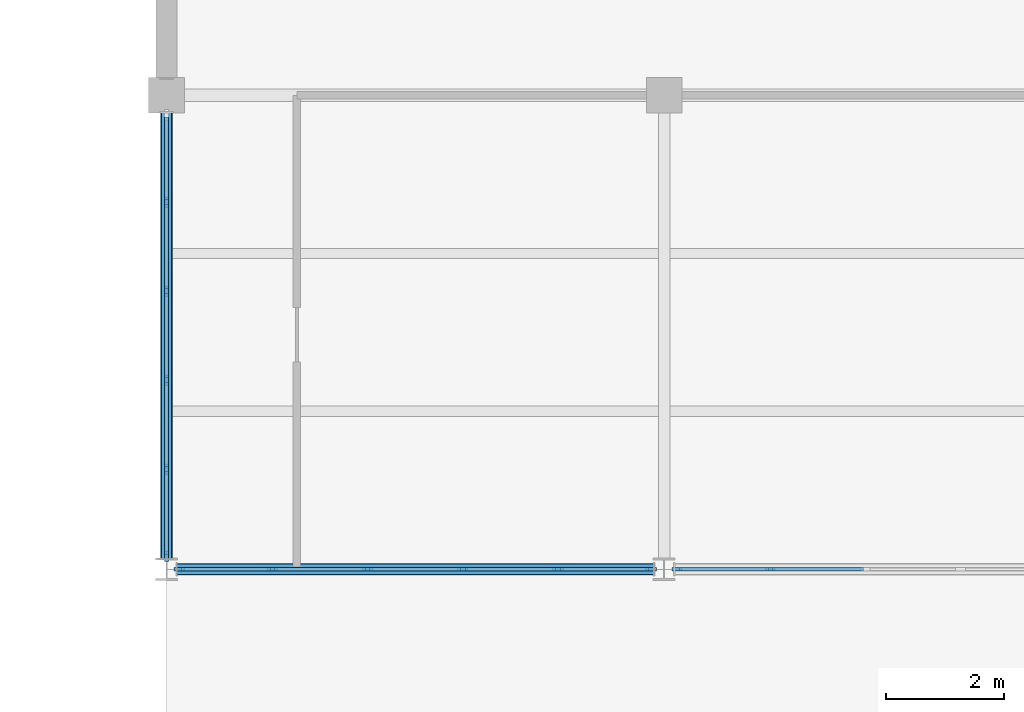
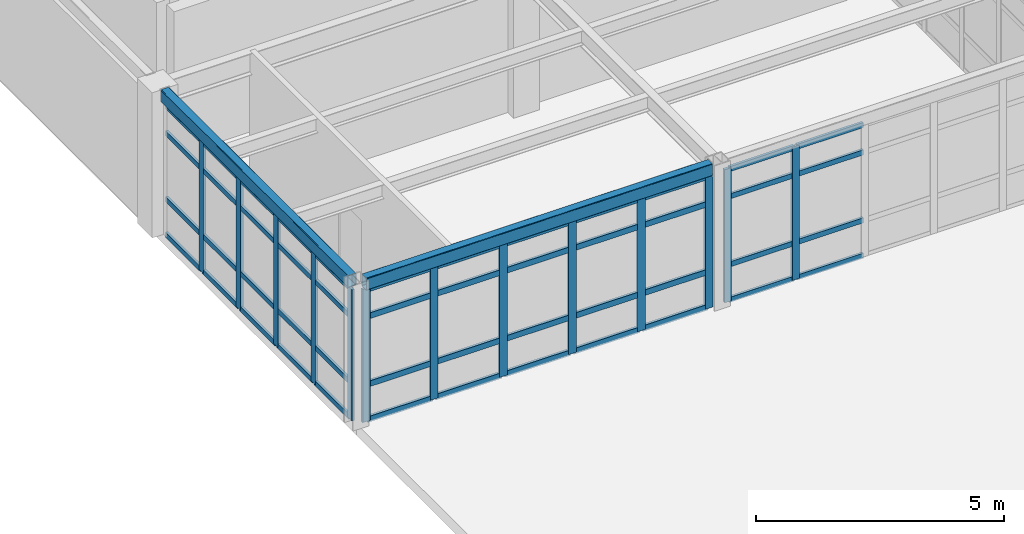
# One storey, part 20 of 96: 61 members, 2 beams, 3 elements without a shape of their own.
"""IFC4 building model written with IfcOpenShell, lengths in metres."""

import ifcopenshell
import ifcopenshell.guid

model = None  # the IFC model being written
_history = None  # IfcOwnerHistory: only IFC2X3 demands one
_inside = {}  # id of a spatial element -> (the spatial element, [elements in it])
_under = {}  # id of a project, library or spatial element -> (it, [spatial elements below it])
_declared = {}  # id of a project -> (the project, [libraries it declares])
_typed = {}  # id of a type object -> (the type object, [elements of that type])
_made_of = {}  # id of a material, layer set ... -> (it, [elements and type objects made of it])


def new_model(schema):
    """Start an empty IFC model of exactly this schema.

    Asked for "IFC4X3", IfcOpenShell would pick the latest addendum, in which some entities
    have other attributes; the version numbers below select the first issue.
    IFC2X3 requires an IfcOwnerHistory on every rooted entity: one is made here for all.
    """
    global model, _history
    if schema == "IFC4X3":
        model = ifcopenshell.file(schema_version=(4, 3, 0, 0))
    else:
        model = ifcopenshell.file(schema=schema)
    _inside.clear()
    _under.clear()
    _declared.clear()
    _typed.clear()
    _made_of.clear()
    _history = None
    if model.schema == "IFC2X3":
        org = make("IfcOrganization", Name="unknown")
        user = make(
            "IfcPersonAndOrganization",
            ThePerson=make("IfcPerson", FamilyName="unknown"),
            TheOrganization=org,
        )
        app = make(
            "IfcApplication",
            ApplicationDeveloper=org,
            Version="unknown",
            ApplicationFullName="unknown",
            ApplicationIdentifier="unknown",
        )
        _history = make(
            "IfcOwnerHistory",
            OwningUser=user,
            OwningApplication=app,
            ChangeAction="ADDED",
            CreationDate=0,
        )
    return model


def make(cls, **values):
    """One entity of the class cls with the attributes given. An attribute that is None is left unset."""
    return model.create_entity(
        cls, **{name: value for name, value in values.items() if value is not None}
    )


def rooted(cls, **values):
    """An entity with a GlobalId (a new one), such as an element, a storey or a relation."""
    return make(cls, GlobalId=ifcopenshell.guid.new(), OwnerHistory=_history, **values)


def si_unit(unit_type, name, prefix=None):
    """IfcSIUnit, for example si_unit("LENGTHUNIT", "METRE", prefix="MILLI")."""
    return make("IfcSIUnit", UnitType=unit_type, Prefix=prefix, Name=name)


def assignment(units):
    """IfcUnitAssignment: the units of a project."""
    return None if units is None else make("IfcUnitAssignment", Units=units)


def point(xyz):
    """IfcCartesianPoint."""
    return None if xyz is None else make("IfcCartesianPoint", Coordinates=xyz)


def direction(xyz):
    """IfcDirection."""
    return None if xyz is None else make("IfcDirection", DirectionRatios=xyz)


def frame(location, z_axis=None, x_axis=None):
    """IfcAxis2Placement3D, a coordinate frame: its origin and axes. An axis left out is left unset."""
    return make(
        "IfcAxis2Placement3D",
        Location=point(location),
        Axis=direction(z_axis),
        RefDirection=direction(x_axis),
    )


def frame_2d(location, x_axis=None):
    """IfcAxis2Placement2D, a coordinate frame in the plane: its origin and x axis."""
    return make(
        "IfcAxis2Placement2D", Location=point(location), RefDirection=direction(x_axis)
    )


def origin():
    """The frame at (0, 0, 0) with its axes left unset."""
    return frame((0.0, 0.0, 0.0))


def origin_2d():
    """The frame at (0, 0) in the plane with its x axis left unset."""
    return frame_2d((0.0, 0.0))


def place(relative_to, where):
    """IfcLocalPlacement: puts the frame where relative to a parent placement (None: the world)."""
    return make(
        "IfcLocalPlacement", PlacementRelTo=relative_to, RelativePlacement=where
    )


def context(
    kind, dimensions, precision=None, world=None, true_north=None, identifier=None
):
    """IfcGeometricRepresentationContext, for example the 3D "Model" context."""
    return make(
        "IfcGeometricRepresentationContext",
        ContextIdentifier=identifier,
        ContextType=kind,
        CoordinateSpaceDimension=dimensions,
        Precision=precision,
        WorldCoordinateSystem=world,
        TrueNorth=true_north,
    )


def subcontext(parent, identifier, kind, view, scale=None):
    """IfcGeometricRepresentationSubContext, for example "Body" below "Model"."""
    return make(
        "IfcGeometricRepresentationSubContext",
        ContextIdentifier=identifier,
        ContextType=kind,
        ParentContext=parent,
        TargetScale=scale,
        TargetView=view,
    )


def project(units=None, contexts=None):
    """IfcProject with its units and contexts."""
    return rooted(
        "IfcProject",
        Name="project",
        RepresentationContexts=contexts,
        UnitsInContext=assignment(units),
    )


def spatial(cls, under=None, at=None, **own):
    """A site, building, storey or space (cls), placed at a placement, below another one or the project."""
    s = rooted(cls, ObjectPlacement=at, **own)
    if under is not None:
        _under.setdefault(under.id(), (under, []))[1].append(s)
    return s


def profile(cls, at=None, kind="AREA", **sizes):
    """A parametric profile (cls). Its sizes go by their IFC names, for example OverallWidth=200.0."""
    return make(cls, ProfileType=kind, Position=at, **sizes)


def rectangle(**sizes):
    """IfcRectangleProfileDef."""
    return profile("IfcRectangleProfileDef", **sizes)


def hollow_rectangle(**sizes):
    """IfcRectangleHollowProfileDef."""
    return profile("IfcRectangleHollowProfileDef", **sizes)


def extrude(swept, where, along, depth):
    """IfcExtrudedAreaSolid: the profile swept, set in the frame where, extruded along a direction by depth."""
    return make(
        "IfcExtrudedAreaSolid",
        SweptArea=swept,
        Position=where,
        ExtrudedDirection=direction(along),
        Depth=depth,
    )


def shape(context_of_items, identifier, shape_type, items):
    """IfcShapeRepresentation: the items that make up one representation, for example the "Body"."""
    return make(
        "IfcShapeRepresentation",
        ContextOfItems=context_of_items,
        RepresentationIdentifier=identifier,
        RepresentationType=shape_type,
        Items=items,
    )


def material(Name=None, Category=None):
    """IfcMaterial."""
    return make("IfcMaterial", Name=Name, Category=Category)


def layer(
    of_material, thickness, ventilated=None, Name=None, Category=None, Priority=None
):
    """IfcMaterialLayer: one layer of a wall or slab, of a material (None: an air gap)."""
    return make(
        "IfcMaterialLayer",
        Material=of_material,
        LayerThickness=thickness,
        IsVentilated=ventilated,
        Name=Name,
        Category=Category,
        Priority=Priority,
    )


def layer_set(layers, Name=None):
    """IfcMaterialLayerSet."""
    return make("IfcMaterialLayerSet", MaterialLayers=layers, LayerSetName=Name)


def material_profile(
    of_material, cross_section, Name=None, Category=None, Priority=None
):
    """IfcMaterialProfile: a cross section and its material."""
    return make(
        "IfcMaterialProfile",
        Name=Name,
        Material=of_material,
        Profile=cross_section,
        Priority=Priority,
        Category=Category,
    )


def profile_set(profiles, Name=None, composite=None):
    """IfcMaterialProfileSet."""
    return make(
        "IfcMaterialProfileSet",
        Name=Name,
        MaterialProfiles=profiles,
        CompositeProfile=composite,
    )


def made_of(thing, what):
    """Note that an element or type object is made of a material, layer set ...; save() writes the relation."""
    if what is not None:
        _made_of.setdefault(what.id(), (what, []))[1].append(thing)
    return thing


def type_object(cls, material=None, **own):
    """A type object (cls), such as IfcWallType, which elements share."""
    return made_of(rooted(cls, **own), material)


def element(
    cls,
    number,
    at=None,
    inside=None,
    cuts=None,
    type_object=None,
    material=None,
    context=None,
    identifier="Body",
    shape_type=None,
    held_by="IfcProductDefinitionShape",
    body=None,
    shapes=None,
    **own,
):
    """One element of the class cls, such as IfcWall. Its Tag is "e" and its number.

    at: its placement. inside: the storey or other place that contains it. cuts: it is an
    opening in that element (IfcRelVoidsElement). A single representation is given by context,
    identifier, shape_type and body (its items); several are given by shapes. held_by: the class
    of the entity that holds the representations. save() writes the other relations.
    """
    e = rooted(cls, Tag="e%d" % number, ObjectPlacement=at, **own)
    if body is not None:
        shapes = [shape(context, identifier, shape_type, body)]
    if shapes is not None:
        e.Representation = make(held_by, Representations=shapes)
    if inside is not None:
        _inside.setdefault(inside.id(), (inside, []))[1].append(e)
    if cuts is not None:
        rooted(
            "IfcRelVoidsElement", RelatingBuildingElement=cuts, RelatedOpeningElement=e
        )
    if type_object is not None:
        _typed.setdefault(type_object.id(), (type_object, []))[1].append(e)
    return made_of(e, material)


def aggregate(whole, parts):
    """IfcRelAggregates: a whole, such as a stair, and the parts it consists of."""
    return rooted("IfcRelAggregates", RelatingObject=whole, RelatedObjects=parts)


def save(model, path):
    """Write the relations noted so far, then the file.

    IfcRelAggregates (storeys below a building ...), IfcRelContainedInSpatialStructure (elements
    in a storey), IfcRelDefinesByType, IfcRelAssociatesMaterial and IfcRelDeclares: one each for
    every whole, place, type object, material and project.
    """
    for whole, parts in _under.values():
        aggregate(whole, parts)
    for where, things in _inside.values():
        rooted(
            "IfcRelContainedInSpatialStructure",
            RelatedElements=things,
            RelatingStructure=where,
        )
    for kind, things in _typed.values():
        rooted("IfcRelDefinesByType", RelatedObjects=things, RelatingType=kind)
    for what, things in _made_of.values():
        rooted("IfcRelAssociatesMaterial", RelatedObjects=things, RelatingMaterial=what)
    for by, libraries in _declared.values():
        rooted("IfcRelDeclares", RelatingContext=by, RelatedDefinitions=libraries)
    model.write(path)


model = new_model("IFC4")

# Units and contexts
model_context = context("Model", 3, precision=1e-05, world=origin(), true_north=direction((0.0, 1.0)))
body_context = subcontext(model_context, "Body", "Model", "MODEL_VIEW")
ifc_project = project(units=[si_unit("LENGTHUNIT", "METRE"), si_unit("AREAUNIT", "SQUARE_METRE"), si_unit("VOLUMEUNIT", "CUBIC_METRE"), si_unit("PLANEANGLEUNIT", "RADIAN"), si_unit("MASSUNIT", "GRAM", prefix="KILO")], contexts=[model_context])

# Site, building, storey
site_placement = place(None, origin())
site = spatial("IfcSite", under=ifc_project, at=site_placement, CompositionType="ELEMENT")
building_placement = place(site_placement, origin())
building = spatial("IfcBuilding", under=site, at=building_placement, Name="Kranzveld Transit Interchange", CompositionType="ELEMENT")
storey_placement = place(building_placement, frame((0.0, 0.0, 9.52001953125)))
storey = spatial("IfcBuildingStorey", under=building, at=storey_placement, Name="L02", CompositionType="ELEMENT", Elevation=9.52001953125)

# Curtain wall, members
ifc_material_1 = material(Name="Bronze-anodised thermally broken aluminium", Category="aluminium")
ifc_layer_1 = layer(ifc_material_1, 0.155029296875)
ifc_layer_set_1 = layer_set([ifc_layer_1], Name="Bronze-anodised thermally broken aluminium")
curtain_wall_type_1 = type_object("IfcCurtainWallType", Name="Operations Courtyard Glazed Screen CW-6", PredefinedType="USERDEFINED", material=ifc_layer_set_1)
curtain_wall_1_placement = place(storey_placement, origin())
curtain_wall_1 = element("IfcCurtainWall", 1, at=curtain_wall_1_placement, inside=storey, type_object=curtain_wall_type_1, Name="L02 Curtain Wall 14/J-15/J", ObjectType="CURTAIN WALL", PredefinedType="USERDEFINED")
ifc_material_2 = material(Name="Bronze-anodised thermally broken aluminium", Category="aluminium")
ifc_material_profile_1 = material_profile(ifc_material_2, rectangle(XDim=0.06494140625, YDim=0.1650390625, at=origin_2d()), Name="ALU MULLION 65x165")
ifc_profile_set_1 = profile_set([ifc_material_profile_1], Name="Bronze-anodised thermally broken aluminium")
member_type_1 = type_object("IfcMemberType", Name="Curtain Wall Mullion 65x165 Alu", PredefinedType="MULLION", material=ifc_profile_set_1)
member_1_placement = place(storey_placement, frame((109.419921875, 64.0, 0.0), z_axis=(0.0, 0.0, 1.0), x_axis=(0.0, 1.0, 0.0)))
member_1 = element("IfcMember", 2, at=member_1_placement, type_object=member_type_1, Name="CW-6 mullion 1", PredefinedType="MULLION", context=body_context, shape_type="SweptSolid", body=[
    extrude(rectangle(XDim=0.06494140625, YDim=0.1650390625, at=origin_2d()), origin(), (0.0, 0.0, 1.0), 3.27001953125),
])
member_2_placement = place(storey_placement, frame((110.992431640625, 64.0, 0.0), z_axis=(0.0, 0.0, 1.0), x_axis=(0.0, 1.0, 0.0)))
member_2 = element("IfcMember", 3, at=member_2_placement, type_object=member_type_1, Name="CW-6 mullion 2", PredefinedType="MULLION", context=body_context, shape_type="SweptSolid", body=[
    extrude(rectangle(XDim=0.06494140625, YDim=0.1650390625, at=origin_2d()), origin(), (0.0, 0.0, 1.0), 3.27001953125),
])

ifc_material_3 = material(Name="Bronze-anodised thermally broken aluminium", Category="aluminium")
ifc_layer_2 = layer(ifc_material_3, 0.18505859375)
ifc_layer_set_2 = layer_set([ifc_layer_2], Name="Bronze-anodised thermally broken aluminium")
curtain_wall_type_2 = type_object("IfcCurtainWallType", Name="Control Crown Observation Facade CW-5", PredefinedType="USERDEFINED", material=ifc_layer_set_2)
curtain_wall_2_placement = place(storey_placement, origin())
curtain_wall_2 = element("IfcCurtainWall", 4, at=curtain_wall_2_placement, inside=storey, type_object=curtain_wall_type_2, Name="L02 Curtain Wall 13/J-14/J", ObjectType="CURTAIN WALL", PredefinedType="USERDEFINED")
ifc_material_4 = material(Name="Bronze-anodised thermally broken aluminium", Category="aluminium")
ifc_material_profile_2 = material_profile(ifc_material_4, rectangle(XDim=0.06494140625, YDim=0.179931640625, at=origin_2d()), Name="ALU MULLION 65x180")
ifc_profile_set_2 = profile_set([ifc_material_profile_2], Name="Bronze-anodised thermally broken aluminium")
member_type_2 = type_object("IfcMemberType", Name="Curtain Wall Mullion 65x180 Alu", PredefinedType="MULLION", material=ifc_profile_set_2)
member_3_placement = place(storey_placement, frame((101.019775390625, 64.0, 0.0), z_axis=(0.0, 0.0, 1.0), x_axis=(0.0, 1.0, 0.0)))
member_3 = element("IfcMember", 5, at=member_3_placement, type_object=member_type_2, Name="CW-5 mullion 1", PredefinedType="MULLION", context=body_context, shape_type="SweptSolid", body=[
    extrude(rectangle(XDim=0.06494140625, YDim=0.179931640625, at=origin_2d()), origin(), (0.0, 0.0, 1.0), 3.27001953125),
])
member_4_placement = place(storey_placement, frame((102.59228515625, 64.0, 0.0), z_axis=(0.0, 0.0, 1.0), x_axis=(0.0, 1.0, 0.0)))
member_4 = element("IfcMember", 6, at=member_4_placement, type_object=member_type_2, Name="CW-5 mullion 2", PredefinedType="MULLION", context=body_context, shape_type="SweptSolid", body=[
    extrude(rectangle(XDim=0.06494140625, YDim=0.179931640625, at=origin_2d()), origin(), (0.0, 0.0, 1.0), 3.27001953125),
])
member_5_placement = place(storey_placement, frame((104.197509765625, 64.0, 0.0), z_axis=(0.0, 0.0, 1.0), x_axis=(0.0, 1.0, 0.0)))
member_5 = element("IfcMember", 7, at=member_5_placement, type_object=member_type_2, Name="CW-5 mullion 3", PredefinedType="MULLION", context=body_context, shape_type="SweptSolid", body=[
    extrude(rectangle(XDim=0.06494140625, YDim=0.179931640625, at=origin_2d()), origin(), (0.0, 0.0, 1.0), 3.27001953125),
])
member_6_placement = place(storey_placement, frame((105.802490234375, 64.0, 0.0), z_axis=(0.0, 0.0, 1.0), x_axis=(0.0, 1.0, 0.0)))
member_6 = element("IfcMember", 8, at=member_6_placement, type_object=member_type_2, Name="CW-5 mullion 4", PredefinedType="MULLION", context=body_context, shape_type="SweptSolid", body=[
    extrude(rectangle(XDim=0.06494140625, YDim=0.179931640625, at=origin_2d()), origin(), (0.0, 0.0, 1.0), 3.27001953125),
])
member_7_placement = place(storey_placement, frame((107.40771484375, 64.0, 0.0), z_axis=(0.0, 0.0, 1.0), x_axis=(0.0, 1.0, 0.0)))
member_7 = element("IfcMember", 9, at=member_7_placement, type_object=member_type_2, Name="CW-5 mullion 5", PredefinedType="MULLION", context=body_context, shape_type="SweptSolid", body=[
    extrude(rectangle(XDim=0.06494140625, YDim=0.179931640625, at=origin_2d()), origin(), (0.0, 0.0, 1.0), 3.27001953125),
])
member_8_placement = place(storey_placement, frame((108.980224609375, 64.0, 0.0), z_axis=(0.0, 0.0, 1.0), x_axis=(0.0, 1.0, 0.0)))
member_8 = element("IfcMember", 10, at=member_8_placement, type_object=member_type_2, Name="CW-5 mullion 6", PredefinedType="MULLION", context=body_context, shape_type="SweptSolid", body=[
    extrude(rectangle(XDim=0.06494140625, YDim=0.179931640625, at=origin_2d()), origin(), (0.0, 0.0, 1.0), 3.27001953125),
])

ifc_material_5 = material(Name="Bronze-anodised thermally broken aluminium", Category="aluminium")
ifc_layer_3 = layer(ifc_material_5, 0.1650390625)
ifc_layer_set_3 = layer_set([ifc_layer_3], Name="Bronze-anodised thermally broken aluminium")
curtain_wall_type_3 = type_object("IfcCurtainWallType", Name="Sunny Court Arcade Curtain Wall CW-2", PredefinedType="USERDEFINED", material=ifc_layer_set_3)
curtain_wall_3_placement = place(storey_placement, origin())
curtain_wall_3 = element("IfcCurtainWall", 11, at=curtain_wall_3_placement, inside=storey, type_object=curtain_wall_type_3, Name="L02 Curtain Wall 13/J-13/K", ObjectType="CURTAIN WALL", PredefinedType="USERDEFINED")
member_9_placement = place(storey_placement, frame((100.800048828125, 64.2197265625, 0.0), z_axis=(0.0, 0.0, 1.0), x_axis=(-1.0, 0.0, 0.0)))
member_9 = element("IfcMember", 12, at=member_9_placement, type_object=member_type_2, Name="CW-2 mullion 1", PredefinedType="MULLION", context=body_context, shape_type="SweptSolid", body=[
    extrude(rectangle(XDim=0.06494140625, YDim=0.179931640625, at=origin_2d()), origin(), (0.0, 0.0, 1.0), 3.218505859375),
])
member_10_placement = place(storey_placement, frame((100.800048828125, 65.68994140625, 0.0), z_axis=(0.0, 0.0, 1.0), x_axis=(-1.0, 0.0, 0.0)))
member_10 = element("IfcMember", 13, at=member_10_placement, type_object=member_type_2, Name="CW-2 mullion 2", PredefinedType="MULLION", context=body_context, shape_type="SweptSolid", body=[
    extrude(rectangle(XDim=0.06494140625, YDim=0.179931640625, at=origin_2d()), origin(), (0.0, 0.0, 1.0), 3.218505859375),
])
member_11_placement = place(storey_placement, frame((100.800048828125, 67.1923828125, 0.0), z_axis=(0.0, 0.0, 1.0), x_axis=(-1.0, 0.0, 0.0)))
member_11 = element("IfcMember", 14, at=member_11_placement, type_object=member_type_2, Name="CW-2 mullion 3", PredefinedType="MULLION", context=body_context, shape_type="SweptSolid", body=[
    extrude(rectangle(XDim=0.06494140625, YDim=0.179931640625, at=origin_2d()), origin(), (0.0, 0.0, 1.0), 3.218505859375),
])
member_12_placement = place(storey_placement, frame((100.800048828125, 68.69482421875, 0.0), z_axis=(0.0, 0.0, 1.0), x_axis=(-1.0, 0.0, 0.0)))
member_12 = element("IfcMember", 15, at=member_12_placement, type_object=member_type_2, Name="CW-2 mullion 4", PredefinedType="MULLION", context=body_context, shape_type="SweptSolid", body=[
    extrude(rectangle(XDim=0.06494140625, YDim=0.179931640625, at=origin_2d()), origin(), (0.0, 0.0, 1.0), 3.218505859375),
])
member_13_placement = place(storey_placement, frame((100.800048828125, 70.197509765625, 0.0), z_axis=(0.0, 0.0, 1.0), x_axis=(-1.0, 0.0, 0.0)))
member_13 = element("IfcMember", 16, at=member_13_placement, type_object=member_type_2, Name="CW-2 mullion 5", PredefinedType="MULLION", context=body_context, shape_type="SweptSolid", body=[
    extrude(rectangle(XDim=0.06494140625, YDim=0.179931640625, at=origin_2d()), origin(), (0.0, 0.0, 1.0), 3.218505859375),
])

# Member
ifc_material_6 = material(Name="Bronze-anodised thermally broken aluminium", Category="aluminium")
ifc_material_profile_3 = material_profile(ifc_material_6, rectangle(XDim=0.06005859375, YDim=0.125, at=origin_2d()), Name="ALU TRANSOM 60x125")
ifc_profile_set_3 = profile_set([ifc_material_profile_3], Name="Bronze-anodised thermally broken aluminium")
member_type_3 = type_object("IfcMemberType", Name="Curtain Wall Transom 60x125 Alu", PredefinedType="USERDEFINED", material=ifc_profile_set_3)
member_14_placement = place(storey_placement, frame((109.452392578125, 64.0, 0.030029296875), z_axis=(1.0, 0.0, 0.0), x_axis=(0.0, 1.0, 0.0)))
member_14 = element("IfcMember", 17, at=member_14_placement, type_object=member_type_3, Name="CW-6 transom 1.1", ObjectType="TRANSOM", PredefinedType="USERDEFINED", context=body_context, shape_type="SweptSolid", body=[
    extrude(rectangle(XDim=0.06005859375, YDim=0.125, at=origin_2d()), origin(), (0.0, 0.0, 1.0), 1.507568359375),
])

member_15_placement = place(storey_placement, frame((109.452392578125, 64.0, 0.89990234375), z_axis=(1.0, 0.0, 0.0), x_axis=(0.0, 1.0, 0.0)))
member_15 = element("IfcMember", 18, at=member_15_placement, type_object=member_type_3, Name="CW-6 transom 1.2", ObjectType="TRANSOM", PredefinedType="USERDEFINED", context=body_context, shape_type="SweptSolid", body=[
    extrude(rectangle(XDim=0.06005859375, YDim=0.125, at=origin_2d()), origin(), (0.0, 0.0, 1.0), 1.507568359375),
])

member_16_placement = place(storey_placement, frame((109.452392578125, 64.0, 2.570068359375), z_axis=(1.0, 0.0, 0.0), x_axis=(0.0, 1.0, 0.0)))
member_16 = element("IfcMember", 19, at=member_16_placement, type_object=member_type_3, Name="CW-6 transom 1.3", ObjectType="TRANSOM", PredefinedType="USERDEFINED", context=body_context, shape_type="SweptSolid", body=[
    extrude(rectangle(XDim=0.06005859375, YDim=0.125, at=origin_2d()), origin(), (0.0, 0.0, 1.0), 1.507568359375),
])

member_17_placement = place(storey_placement, frame((109.452392578125, 64.0, 3.239990234375), z_axis=(1.0, 0.0, 0.0), x_axis=(0.0, 1.0, 0.0)))
member_17 = element("IfcMember", 20, at=member_17_placement, type_object=member_type_3, Name="CW-6 transom 1.4", ObjectType="TRANSOM", PredefinedType="USERDEFINED", context=body_context, shape_type="SweptSolid", body=[
    extrude(rectangle(XDim=0.06005859375, YDim=0.125, at=origin_2d()), origin(), (0.0, 0.0, 1.0), 1.507568359375),
])

member_18_placement = place(storey_placement, frame((111.02490234375, 64.0, 0.030029296875), z_axis=(1.0, 0.0, 0.0), x_axis=(0.0, 1.0, 0.0)))
member_18 = element("IfcMember", 21, at=member_18_placement, type_object=member_type_3, Name="CW-6 transom 2.1", ObjectType="TRANSOM", PredefinedType="USERDEFINED", context=body_context, shape_type="SweptSolid", body=[
    extrude(rectangle(XDim=0.06005859375, YDim=0.125, at=origin_2d()), origin(), (0.0, 0.0, 1.0), 1.5400390625),
])

member_19_placement = place(storey_placement, frame((111.02490234375, 64.0, 0.89990234375), z_axis=(1.0, 0.0, 0.0), x_axis=(0.0, 1.0, 0.0)))
member_19 = element("IfcMember", 22, at=member_19_placement, type_object=member_type_3, Name="CW-6 transom 2.2", ObjectType="TRANSOM", PredefinedType="USERDEFINED", context=body_context, shape_type="SweptSolid", body=[
    extrude(rectangle(XDim=0.06005859375, YDim=0.125, at=origin_2d()), origin(), (0.0, 0.0, 1.0), 1.5400390625),
])

member_20_placement = place(storey_placement, frame((111.02490234375, 64.0, 2.570068359375), z_axis=(1.0, 0.0, 0.0), x_axis=(0.0, 1.0, 0.0)))
member_20 = element("IfcMember", 23, at=member_20_placement, type_object=member_type_3, Name="CW-6 transom 2.3", ObjectType="TRANSOM", PredefinedType="USERDEFINED", context=body_context, shape_type="SweptSolid", body=[
    extrude(rectangle(XDim=0.06005859375, YDim=0.125, at=origin_2d()), origin(), (0.0, 0.0, 1.0), 1.5400390625),
])

member_21_placement = place(storey_placement, frame((111.02490234375, 64.0, 3.239990234375), z_axis=(1.0, 0.0, 0.0), x_axis=(0.0, 1.0, 0.0)))
member_21 = element("IfcMember", 24, at=member_21_placement, type_object=member_type_3, Name="CW-6 transom 2.4", ObjectType="TRANSOM", PredefinedType="USERDEFINED", context=body_context, shape_type="SweptSolid", body=[
    extrude(rectangle(XDim=0.06005859375, YDim=0.125, at=origin_2d()), origin(), (0.0, 0.0, 1.0), 1.5400390625),
])

aggregate(curtain_wall_1, [member_1, member_2, member_14, member_15, member_16, member_17, member_18, member_19, member_20, member_21])

member_22_placement = place(storey_placement, frame((100.800048828125, 64.252197265625, 0.030029296875), z_axis=(0.0, 1.0, 0.0), x_axis=(-1.0, 0.0, 0.0)))
member_22 = element("IfcMember", 25, at=member_22_placement, type_object=member_type_3, Name="CW-2 transom 1.1", ObjectType="TRANSOM", PredefinedType="USERDEFINED", context=body_context, shape_type="SweptSolid", body=[
    extrude(rectangle(XDim=0.06005859375, YDim=0.125, at=origin_2d()), origin(), (0.0, 0.0, 1.0), 1.405029296875),
])

member_23_placement = place(storey_placement, frame((100.800048828125, 64.252197265625, 0.89990234375), z_axis=(0.0, 1.0, 0.0), x_axis=(-1.0, 0.0, 0.0)))
member_23 = element("IfcMember", 26, at=member_23_placement, type_object=member_type_3, Name="CW-2 transom 1.2", ObjectType="TRANSOM", PredefinedType="USERDEFINED", context=body_context, shape_type="SweptSolid", body=[
    extrude(rectangle(XDim=0.06005859375, YDim=0.125, at=origin_2d()), origin(), (0.0, 0.0, 1.0), 1.405029296875),
])

member_24_placement = place(storey_placement, frame((100.800048828125, 64.252197265625, 2.5185546875), z_axis=(0.0, 1.0, 0.0), x_axis=(-1.0, 0.0, 0.0)))
member_24 = element("IfcMember", 27, at=member_24_placement, type_object=member_type_3, Name="CW-2 transom 1.3", ObjectType="TRANSOM", PredefinedType="USERDEFINED", context=body_context, shape_type="SweptSolid", body=[
    extrude(rectangle(XDim=0.06005859375, YDim=0.125, at=origin_2d()), origin(), (0.0, 0.0, 1.0), 1.405029296875),
])

member_25_placement = place(storey_placement, frame((100.800048828125, 64.252197265625, 3.1884765625), z_axis=(0.0, 1.0, 0.0), x_axis=(-1.0, 0.0, 0.0)))
member_25 = element("IfcMember", 28, at=member_25_placement, type_object=member_type_3, Name="CW-2 transom 1.4", ObjectType="TRANSOM", PredefinedType="USERDEFINED", context=body_context, shape_type="SweptSolid", body=[
    extrude(rectangle(XDim=0.06005859375, YDim=0.125, at=origin_2d()), origin(), (0.0, 0.0, 1.0), 1.405029296875),
])

member_26_placement = place(storey_placement, frame((100.800048828125, 65.722412109375, 0.030029296875), z_axis=(0.0, 1.0, 0.0), x_axis=(-1.0, 0.0, 0.0)))
member_26 = element("IfcMember", 29, at=member_26_placement, type_object=member_type_3, Name="CW-2 transom 2.1", ObjectType="TRANSOM", PredefinedType="USERDEFINED", context=body_context, shape_type="SweptSolid", body=[
    extrude(rectangle(XDim=0.06005859375, YDim=0.125, at=origin_2d()), origin(), (0.0, 0.0, 1.0), 1.4375),
])

member_27_placement = place(storey_placement, frame((100.800048828125, 65.722412109375, 0.89990234375), z_axis=(0.0, 1.0, 0.0), x_axis=(-1.0, 0.0, 0.0)))
member_27 = element("IfcMember", 30, at=member_27_placement, type_object=member_type_3, Name="CW-2 transom 2.2", ObjectType="TRANSOM", PredefinedType="USERDEFINED", context=body_context, shape_type="SweptSolid", body=[
    extrude(rectangle(XDim=0.06005859375, YDim=0.125, at=origin_2d()), origin(), (0.0, 0.0, 1.0), 1.4375),
])

member_28_placement = place(storey_placement, frame((100.800048828125, 65.722412109375, 2.5185546875), z_axis=(0.0, 1.0, 0.0), x_axis=(-1.0, 0.0, 0.0)))
member_28 = element("IfcMember", 31, at=member_28_placement, type_object=member_type_3, Name="CW-2 transom 2.3", ObjectType="TRANSOM", PredefinedType="USERDEFINED", context=body_context, shape_type="SweptSolid", body=[
    extrude(rectangle(XDim=0.06005859375, YDim=0.125, at=origin_2d()), origin(), (0.0, 0.0, 1.0), 1.4375),
])

member_29_placement = place(storey_placement, frame((100.800048828125, 65.722412109375, 3.1884765625), z_axis=(0.0, 1.0, 0.0), x_axis=(-1.0, 0.0, 0.0)))
member_29 = element("IfcMember", 32, at=member_29_placement, type_object=member_type_3, Name="CW-2 transom 2.4", ObjectType="TRANSOM", PredefinedType="USERDEFINED", context=body_context, shape_type="SweptSolid", body=[
    extrude(rectangle(XDim=0.06005859375, YDim=0.125, at=origin_2d()), origin(), (0.0, 0.0, 1.0), 1.4375),
])

member_30_placement = place(storey_placement, frame((100.800048828125, 67.224853515625, 0.030029296875), z_axis=(0.0, 1.0, 0.0), x_axis=(-1.0, 0.0, 0.0)))
member_30 = element("IfcMember", 33, at=member_30_placement, type_object=member_type_3, Name="CW-2 transom 3.1", ObjectType="TRANSOM", PredefinedType="USERDEFINED", context=body_context, shape_type="SweptSolid", body=[
    extrude(rectangle(XDim=0.06005859375, YDim=0.125, at=origin_2d()), origin(), (0.0, 0.0, 1.0), 1.4375),
])

member_31_placement = place(storey_placement, frame((100.800048828125, 67.224853515625, 0.89990234375), z_axis=(0.0, 1.0, 0.0), x_axis=(-1.0, 0.0, 0.0)))
member_31 = element("IfcMember", 34, at=member_31_placement, type_object=member_type_3, Name="CW-2 transom 3.2", ObjectType="TRANSOM", PredefinedType="USERDEFINED", context=body_context, shape_type="SweptSolid", body=[
    extrude(rectangle(XDim=0.06005859375, YDim=0.125, at=origin_2d()), origin(), (0.0, 0.0, 1.0), 1.4375),
])

member_32_placement = place(storey_placement, frame((100.800048828125, 67.224853515625, 2.5185546875), z_axis=(0.0, 1.0, 0.0), x_axis=(-1.0, 0.0, 0.0)))
member_32 = element("IfcMember", 35, at=member_32_placement, type_object=member_type_3, Name="CW-2 transom 3.3", ObjectType="TRANSOM", PredefinedType="USERDEFINED", context=body_context, shape_type="SweptSolid", body=[
    extrude(rectangle(XDim=0.06005859375, YDim=0.125, at=origin_2d()), origin(), (0.0, 0.0, 1.0), 1.4375),
])

member_33_placement = place(storey_placement, frame((100.800048828125, 67.224853515625, 3.1884765625), z_axis=(0.0, 1.0, 0.0), x_axis=(-1.0, 0.0, 0.0)))
member_33 = element("IfcMember", 36, at=member_33_placement, type_object=member_type_3, Name="CW-2 transom 3.4", ObjectType="TRANSOM", PredefinedType="USERDEFINED", context=body_context, shape_type="SweptSolid", body=[
    extrude(rectangle(XDim=0.06005859375, YDim=0.125, at=origin_2d()), origin(), (0.0, 0.0, 1.0), 1.4375),
])

member_34_placement = place(storey_placement, frame((100.800048828125, 68.7275390625, 0.030029296875), z_axis=(0.0, 1.0, 0.0), x_axis=(-1.0, 0.0, 0.0)))
member_34 = element("IfcMember", 37, at=member_34_placement, type_object=member_type_3, Name="CW-2 transom 4.1", ObjectType="TRANSOM", PredefinedType="USERDEFINED", context=body_context, shape_type="SweptSolid", body=[
    extrude(rectangle(XDim=0.06005859375, YDim=0.125, at=origin_2d()), origin(), (0.0, 0.0, 1.0), 1.4375),
])

member_35_placement = place(storey_placement, frame((100.800048828125, 68.7275390625, 0.89990234375), z_axis=(0.0, 1.0, 0.0), x_axis=(-1.0, 0.0, 0.0)))
member_35 = element("IfcMember", 38, at=member_35_placement, type_object=member_type_3, Name="CW-2 transom 4.2", ObjectType="TRANSOM", PredefinedType="USERDEFINED", context=body_context, shape_type="SweptSolid", body=[
    extrude(rectangle(XDim=0.06005859375, YDim=0.125, at=origin_2d()), origin(), (0.0, 0.0, 1.0), 1.4375),
])

member_36_placement = place(storey_placement, frame((100.800048828125, 68.7275390625, 2.5185546875), z_axis=(0.0, 1.0, 0.0), x_axis=(-1.0, 0.0, 0.0)))
member_36 = element("IfcMember", 39, at=member_36_placement, type_object=member_type_3, Name="CW-2 transom 4.3", ObjectType="TRANSOM", PredefinedType="USERDEFINED", context=body_context, shape_type="SweptSolid", body=[
    extrude(rectangle(XDim=0.06005859375, YDim=0.125, at=origin_2d()), origin(), (0.0, 0.0, 1.0), 1.4375),
])

member_37_placement = place(storey_placement, frame((100.800048828125, 68.7275390625, 3.1884765625), z_axis=(0.0, 1.0, 0.0), x_axis=(-1.0, 0.0, 0.0)))
member_37 = element("IfcMember", 40, at=member_37_placement, type_object=member_type_3, Name="CW-2 transom 4.4", ObjectType="TRANSOM", PredefinedType="USERDEFINED", context=body_context, shape_type="SweptSolid", body=[
    extrude(rectangle(XDim=0.06005859375, YDim=0.125, at=origin_2d()), origin(), (0.0, 0.0, 1.0), 1.4375),
])

member_38_placement = place(storey_placement, frame((100.800048828125, 70.22998046875, 0.030029296875), z_axis=(0.0, 1.0, 0.0), x_axis=(-1.0, 0.0, 0.0)))
member_38 = element("IfcMember", 41, at=member_38_placement, type_object=member_type_3, Name="CW-2 transom 5.1", ObjectType="TRANSOM", PredefinedType="USERDEFINED", context=body_context, shape_type="SweptSolid", body=[
    extrude(rectangle(XDim=0.06005859375, YDim=0.125, at=origin_2d()), origin(), (0.0, 0.0, 1.0), 1.405029296875),
])

member_39_placement = place(storey_placement, frame((100.800048828125, 70.22998046875, 0.89990234375), z_axis=(0.0, 1.0, 0.0), x_axis=(-1.0, 0.0, 0.0)))
member_39 = element("IfcMember", 42, at=member_39_placement, type_object=member_type_3, Name="CW-2 transom 5.2", ObjectType="TRANSOM", PredefinedType="USERDEFINED", context=body_context, shape_type="SweptSolid", body=[
    extrude(rectangle(XDim=0.06005859375, YDim=0.125, at=origin_2d()), origin(), (0.0, 0.0, 1.0), 1.405029296875),
])

member_40_placement = place(storey_placement, frame((100.800048828125, 70.22998046875, 2.5185546875), z_axis=(0.0, 1.0, 0.0), x_axis=(-1.0, 0.0, 0.0)))
member_40 = element("IfcMember", 43, at=member_40_placement, type_object=member_type_3, Name="CW-2 transom 5.3", ObjectType="TRANSOM", PredefinedType="USERDEFINED", context=body_context, shape_type="SweptSolid", body=[
    extrude(rectangle(XDim=0.06005859375, YDim=0.125, at=origin_2d()), origin(), (0.0, 0.0, 1.0), 1.405029296875),
])

member_41_placement = place(storey_placement, frame((100.800048828125, 70.22998046875, 3.1884765625), z_axis=(0.0, 1.0, 0.0), x_axis=(-1.0, 0.0, 0.0)))
member_41 = element("IfcMember", 44, at=member_41_placement, type_object=member_type_3, Name="CW-2 transom 5.4", ObjectType="TRANSOM", PredefinedType="USERDEFINED", context=body_context, shape_type="SweptSolid", body=[
    extrude(rectangle(XDim=0.06005859375, YDim=0.125, at=origin_2d()), origin(), (0.0, 0.0, 1.0), 1.405029296875),
])

aggregate(curtain_wall_3, [member_9, member_10, member_11, member_12, member_13, member_22, member_23, member_24, member_25, member_26, member_27, member_28, member_29, member_30, member_31, member_32, member_33, member_34, member_35, member_36, member_37, member_38, member_39, member_40, member_41])

ifc_material_7 = material(Name="Bronze-anodised thermally broken aluminium", Category="aluminium")
ifc_material_profile_4 = material_profile(ifc_material_7, rectangle(XDim=0.06494140625, YDim=0.139892578125, at=origin_2d()), Name="ALU TRANSOM 65x140")
ifc_profile_set_4 = profile_set([ifc_material_profile_4], Name="Bronze-anodised thermally broken aluminium")
member_type_4 = type_object("IfcMemberType", Name="Curtain Wall Transom 65x140 Alu", PredefinedType="USERDEFINED", material=ifc_profile_set_4)
member_42_placement = place(storey_placement, frame((101.05224609375, 64.0, 0.032470703125), z_axis=(1.0, 0.0, 0.0), x_axis=(0.0, 1.0, 0.0)))
member_42 = element("IfcMember", 45, at=member_42_placement, type_object=member_type_4, Name="CW-5 transom 1.1", ObjectType="TRANSOM", PredefinedType="USERDEFINED", context=body_context, shape_type="SweptSolid", body=[
    extrude(rectangle(XDim=0.06494140625, YDim=0.139892578125, at=origin_2d()), origin(), (0.0, 0.0, 1.0), 1.507568359375),
])

member_43_placement = place(storey_placement, frame((101.05224609375, 64.0, 0.89990234375), z_axis=(1.0, 0.0, 0.0), x_axis=(0.0, 1.0, 0.0)))
member_43 = element("IfcMember", 46, at=member_43_placement, type_object=member_type_4, Name="CW-5 transom 1.2", ObjectType="TRANSOM", PredefinedType="USERDEFINED", context=body_context, shape_type="SweptSolid", body=[
    extrude(rectangle(XDim=0.06494140625, YDim=0.139892578125, at=origin_2d()), origin(), (0.0, 0.0, 1.0), 1.507568359375),
])

member_44_placement = place(storey_placement, frame((101.05224609375, 64.0, 2.570068359375), z_axis=(1.0, 0.0, 0.0), x_axis=(0.0, 1.0, 0.0)))
member_44 = element("IfcMember", 47, at=member_44_placement, type_object=member_type_4, Name="CW-5 transom 1.3", ObjectType="TRANSOM", PredefinedType="USERDEFINED", context=body_context, shape_type="SweptSolid", body=[
    extrude(rectangle(XDim=0.06494140625, YDim=0.139892578125, at=origin_2d()), origin(), (0.0, 0.0, 1.0), 1.507568359375),
])

member_45_placement = place(storey_placement, frame((101.05224609375, 64.0, 3.237548828125), z_axis=(1.0, 0.0, 0.0), x_axis=(0.0, 1.0, 0.0)))
member_45 = element("IfcMember", 48, at=member_45_placement, type_object=member_type_4, Name="CW-5 transom 1.4", ObjectType="TRANSOM", PredefinedType="USERDEFINED", context=body_context, shape_type="SweptSolid", body=[
    extrude(rectangle(XDim=0.06494140625, YDim=0.139892578125, at=origin_2d()), origin(), (0.0, 0.0, 1.0), 1.507568359375),
])

member_46_placement = place(storey_placement, frame((102.625, 64.0, 0.032470703125), z_axis=(1.0, 0.0, 0.0), x_axis=(0.0, 1.0, 0.0)))
member_46 = element("IfcMember", 49, at=member_46_placement, type_object=member_type_4, Name="CW-5 transom 2.1", ObjectType="TRANSOM", PredefinedType="USERDEFINED", context=body_context, shape_type="SweptSolid", body=[
    extrude(rectangle(XDim=0.06494140625, YDim=0.139892578125, at=origin_2d()), origin(), (0.0, 0.0, 1.0), 1.5400390625),
])

member_47_placement = place(storey_placement, frame((102.625, 64.0, 0.89990234375), z_axis=(1.0, 0.0, 0.0), x_axis=(0.0, 1.0, 0.0)))
member_47 = element("IfcMember", 50, at=member_47_placement, type_object=member_type_4, Name="CW-5 transom 2.2", ObjectType="TRANSOM", PredefinedType="USERDEFINED", context=body_context, shape_type="SweptSolid", body=[
    extrude(rectangle(XDim=0.06494140625, YDim=0.139892578125, at=origin_2d()), origin(), (0.0, 0.0, 1.0), 1.5400390625),
])

member_48_placement = place(storey_placement, frame((102.625, 64.0, 2.570068359375), z_axis=(1.0, 0.0, 0.0), x_axis=(0.0, 1.0, 0.0)))
member_48 = element("IfcMember", 51, at=member_48_placement, type_object=member_type_4, Name="CW-5 transom 2.3", ObjectType="TRANSOM", PredefinedType="USERDEFINED", context=body_context, shape_type="SweptSolid", body=[
    extrude(rectangle(XDim=0.06494140625, YDim=0.139892578125, at=origin_2d()), origin(), (0.0, 0.0, 1.0), 1.5400390625),
])

member_49_placement = place(storey_placement, frame((102.625, 64.0, 3.237548828125), z_axis=(1.0, 0.0, 0.0), x_axis=(0.0, 1.0, 0.0)))
member_49 = element("IfcMember", 52, at=member_49_placement, type_object=member_type_4, Name="CW-5 transom 2.4", ObjectType="TRANSOM", PredefinedType="USERDEFINED", context=body_context, shape_type="SweptSolid", body=[
    extrude(rectangle(XDim=0.06494140625, YDim=0.139892578125, at=origin_2d()), origin(), (0.0, 0.0, 1.0), 1.5400390625),
])

member_50_placement = place(storey_placement, frame((104.22998046875, 64.0, 0.032470703125), z_axis=(1.0, 0.0, 0.0), x_axis=(0.0, 1.0, 0.0)))
member_50 = element("IfcMember", 53, at=member_50_placement, type_object=member_type_4, Name="CW-5 transom 3.1", ObjectType="TRANSOM", PredefinedType="USERDEFINED", context=body_context, shape_type="SweptSolid", body=[
    extrude(rectangle(XDim=0.06494140625, YDim=0.139892578125, at=origin_2d()), origin(), (0.0, 0.0, 1.0), 1.5400390625),
])

member_51_placement = place(storey_placement, frame((104.22998046875, 64.0, 0.89990234375), z_axis=(1.0, 0.0, 0.0), x_axis=(0.0, 1.0, 0.0)))
member_51 = element("IfcMember", 54, at=member_51_placement, type_object=member_type_4, Name="CW-5 transom 3.2", ObjectType="TRANSOM", PredefinedType="USERDEFINED", context=body_context, shape_type="SweptSolid", body=[
    extrude(rectangle(XDim=0.06494140625, YDim=0.139892578125, at=origin_2d()), origin(), (0.0, 0.0, 1.0), 1.5400390625),
])

member_52_placement = place(storey_placement, frame((104.22998046875, 64.0, 2.570068359375), z_axis=(1.0, 0.0, 0.0), x_axis=(0.0, 1.0, 0.0)))
member_52 = element("IfcMember", 55, at=member_52_placement, type_object=member_type_4, Name="CW-5 transom 3.3", ObjectType="TRANSOM", PredefinedType="USERDEFINED", context=body_context, shape_type="SweptSolid", body=[
    extrude(rectangle(XDim=0.06494140625, YDim=0.139892578125, at=origin_2d()), origin(), (0.0, 0.0, 1.0), 1.5400390625),
])

member_53_placement = place(storey_placement, frame((104.22998046875, 64.0, 3.237548828125), z_axis=(1.0, 0.0, 0.0), x_axis=(0.0, 1.0, 0.0)))
member_53 = element("IfcMember", 56, at=member_53_placement, type_object=member_type_4, Name="CW-5 transom 3.4", ObjectType="TRANSOM", PredefinedType="USERDEFINED", context=body_context, shape_type="SweptSolid", body=[
    extrude(rectangle(XDim=0.06494140625, YDim=0.139892578125, at=origin_2d()), origin(), (0.0, 0.0, 1.0), 1.5400390625),
])

member_54_placement = place(storey_placement, frame((105.8349609375, 64.0, 0.032470703125), z_axis=(1.0, 0.0, 0.0), x_axis=(0.0, 1.0, 0.0)))
member_54 = element("IfcMember", 57, at=member_54_placement, type_object=member_type_4, Name="CW-5 transom 4.1", ObjectType="TRANSOM", PredefinedType="USERDEFINED", context=body_context, shape_type="SweptSolid", body=[
    extrude(rectangle(XDim=0.06494140625, YDim=0.139892578125, at=origin_2d()), origin(), (0.0, 0.0, 1.0), 1.5400390625),
])

member_55_placement = place(storey_placement, frame((105.8349609375, 64.0, 0.89990234375), z_axis=(1.0, 0.0, 0.0), x_axis=(0.0, 1.0, 0.0)))
member_55 = element("IfcMember", 58, at=member_55_placement, type_object=member_type_4, Name="CW-5 transom 4.2", ObjectType="TRANSOM", PredefinedType="USERDEFINED", context=body_context, shape_type="SweptSolid", body=[
    extrude(rectangle(XDim=0.06494140625, YDim=0.139892578125, at=origin_2d()), origin(), (0.0, 0.0, 1.0), 1.5400390625),
])

member_56_placement = place(storey_placement, frame((105.8349609375, 64.0, 2.570068359375), z_axis=(1.0, 0.0, 0.0), x_axis=(0.0, 1.0, 0.0)))
member_56 = element("IfcMember", 59, at=member_56_placement, type_object=member_type_4, Name="CW-5 transom 4.3", ObjectType="TRANSOM", PredefinedType="USERDEFINED", context=body_context, shape_type="SweptSolid", body=[
    extrude(rectangle(XDim=0.06494140625, YDim=0.139892578125, at=origin_2d()), origin(), (0.0, 0.0, 1.0), 1.5400390625),
])

member_57_placement = place(storey_placement, frame((105.8349609375, 64.0, 3.237548828125), z_axis=(1.0, 0.0, 0.0), x_axis=(0.0, 1.0, 0.0)))
member_57 = element("IfcMember", 60, at=member_57_placement, type_object=member_type_4, Name="CW-5 transom 4.4", ObjectType="TRANSOM", PredefinedType="USERDEFINED", context=body_context, shape_type="SweptSolid", body=[
    extrude(rectangle(XDim=0.06494140625, YDim=0.139892578125, at=origin_2d()), origin(), (0.0, 0.0, 1.0), 1.5400390625),
])

member_58_placement = place(storey_placement, frame((107.440185546875, 64.0, 0.032470703125), z_axis=(1.0, 0.0, 0.0), x_axis=(0.0, 1.0, 0.0)))
member_58 = element("IfcMember", 61, at=member_58_placement, type_object=member_type_4, Name="CW-5 transom 5.1", ObjectType="TRANSOM", PredefinedType="USERDEFINED", context=body_context, shape_type="SweptSolid", body=[
    extrude(rectangle(XDim=0.06494140625, YDim=0.139892578125, at=origin_2d()), origin(), (0.0, 0.0, 1.0), 1.507568359375),
])

member_59_placement = place(storey_placement, frame((107.440185546875, 64.0, 0.89990234375), z_axis=(1.0, 0.0, 0.0), x_axis=(0.0, 1.0, 0.0)))
member_59 = element("IfcMember", 62, at=member_59_placement, type_object=member_type_4, Name="CW-5 transom 5.2", ObjectType="TRANSOM", PredefinedType="USERDEFINED", context=body_context, shape_type="SweptSolid", body=[
    extrude(rectangle(XDim=0.06494140625, YDim=0.139892578125, at=origin_2d()), origin(), (0.0, 0.0, 1.0), 1.507568359375),
])

member_60_placement = place(storey_placement, frame((107.440185546875, 64.0, 2.570068359375), z_axis=(1.0, 0.0, 0.0), x_axis=(0.0, 1.0, 0.0)))
member_60 = element("IfcMember", 63, at=member_60_placement, type_object=member_type_4, Name="CW-5 transom 5.3", ObjectType="TRANSOM", PredefinedType="USERDEFINED", context=body_context, shape_type="SweptSolid", body=[
    extrude(rectangle(XDim=0.06494140625, YDim=0.139892578125, at=origin_2d()), origin(), (0.0, 0.0, 1.0), 1.507568359375),
])

member_61_placement = place(storey_placement, frame((107.440185546875, 64.0, 3.237548828125), z_axis=(1.0, 0.0, 0.0), x_axis=(0.0, 1.0, 0.0)))
member_61 = element("IfcMember", 64, at=member_61_placement, type_object=member_type_4, Name="CW-5 transom 5.4", ObjectType="TRANSOM", PredefinedType="USERDEFINED", context=body_context, shape_type="SweptSolid", body=[
    extrude(rectangle(XDim=0.06494140625, YDim=0.139892578125, at=origin_2d()), origin(), (0.0, 0.0, 1.0), 1.507568359375),
])

aggregate(curtain_wall_2, [member_3, member_4, member_5, member_6, member_7, member_8, member_42, member_43, member_44, member_45, member_46, member_47, member_48, member_49, member_50, member_51, member_52, member_53, member_54, member_55, member_56, member_57, member_58, member_59, member_60, member_61])

# Beams
ifc_material_8 = material(Name="Steel S355JR", Category="steel")
ifc_material_profile_5 = material_profile(ifc_material_8, hollow_rectangle(XDim=0.199951171875, YDim=0.300048828125, WallThickness=0.010009765625, InnerFilletRadius=0.014892578125, OuterFilletRadius=0.02490234375, at=origin_2d()), Name="RHS 300x200x10")
ifc_profile_set_5 = profile_set([ifc_material_profile_5], Name="Steel S355JR")
beam_type = type_object("IfcBeamType", Name="Edge Spandrel RHS 300x200x10 S355JR", PredefinedType="SPANDREL", material=ifc_profile_set_5)
beam_1_placement = place(storey_placement, frame((100.977294921875, 64.0, 3.419921875), z_axis=(1.0, 0.0, 0.0), x_axis=(0.0, 1.0, 0.0)))
element("IfcBeam", 65, at=beam_1_placement, inside=storey, type_object=beam_type, Name="L02 Girder 13-14/J", PredefinedType="SPANDREL", context=body_context, shape_type="SweptSolid", body=[
    extrude(hollow_rectangle(XDim=0.199951171875, YDim=0.300048828125, WallThickness=0.010009765625, InnerFilletRadius=0.014892578125, OuterFilletRadius=0.02490234375, at=origin_2d()), origin(), (0.0, 0.0, 1.0), 8.04541015625),
])
beam_2_placement = place(storey_placement, frame((100.800048828125, 64.17724609375, 3.419921875), z_axis=(0.0, 1.0, 0.0), x_axis=(-1.0, 0.0, 0.0)))
element("IfcBeam", 66, at=beam_2_placement, inside=storey, type_object=beam_type, Name="L02 Girder 13/J-K", PredefinedType="SPANDREL", context=body_context, shape_type="SweptSolid", body=[
    extrude(hollow_rectangle(XDim=0.199951171875, YDim=0.300048828125, WallThickness=0.010009765625, InnerFilletRadius=0.014892578125, OuterFilletRadius=0.02490234375, at=origin_2d()), origin(), (0.0, 0.0, 1.0), 7.53271484375),
])

save(model, "model.ifc")
